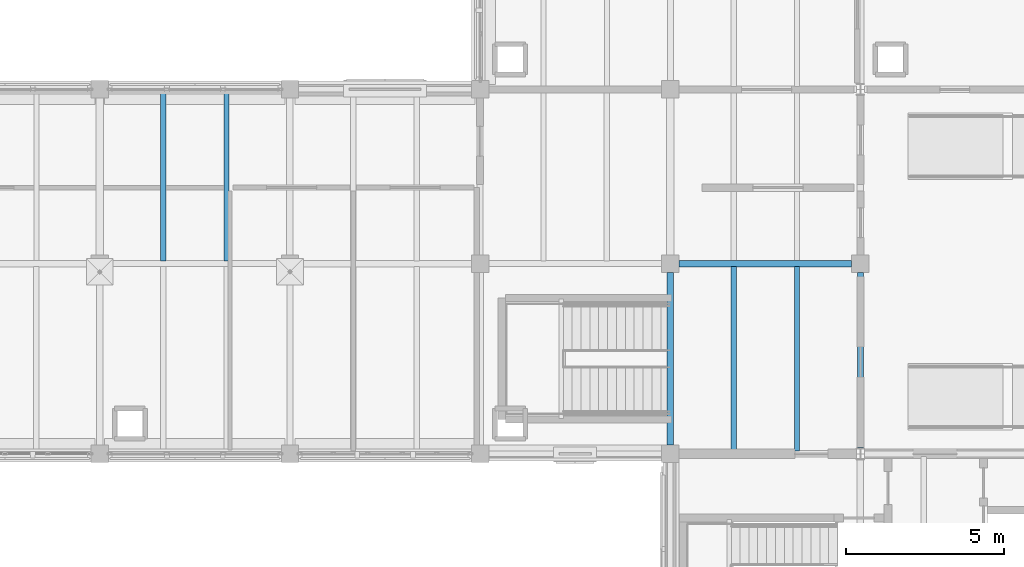
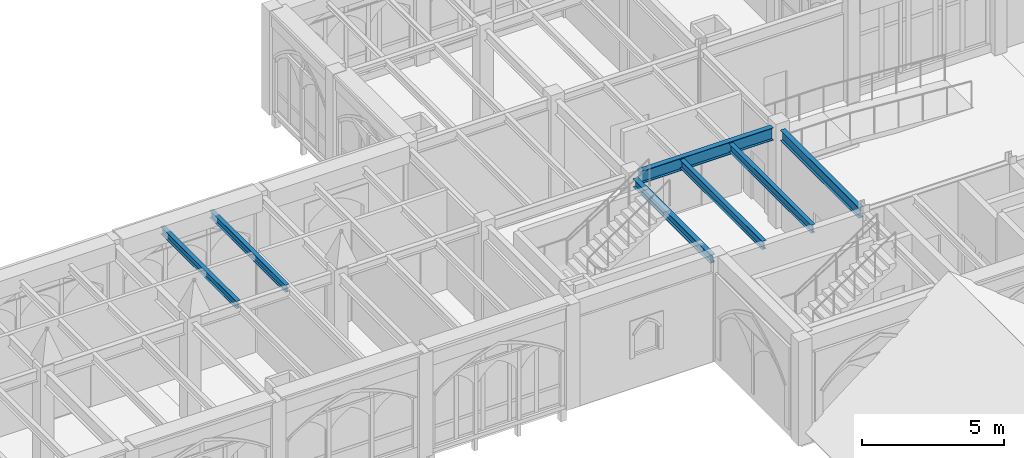
# One storey, part 25 of 108: 7 beams.
"""IFC4 building model written with IfcOpenShell, lengths in metres."""

from ifc_helpers import new_model, si_unit, direction, frame, origin, origin_2d, place, context, subcontext, project, spatial, i_section, extrude, material, material_profile, profile_set, type_object, element, save


model = new_model("IFC4")

# Units and contexts
model_context = context("Model", 3, precision=1e-05, world=origin(), true_north=direction((0.0, 1.0)))
body_context = subcontext(model_context, "Body", "Model", "MODEL_VIEW")
ifc_project = project(units=[si_unit("LENGTHUNIT", "METRE"), si_unit("AREAUNIT", "SQUARE_METRE"), si_unit("VOLUMEUNIT", "CUBIC_METRE"), si_unit("PLANEANGLEUNIT", "RADIAN"), si_unit("MASSUNIT", "GRAM", prefix="KILO")], contexts=[model_context])

# Site, building, storey
site_placement = place(None, origin())
site = spatial("IfcSite", under=ifc_project, at=site_placement, CompositionType="ELEMENT")
building_placement = place(site_placement, origin())
building = spatial("IfcBuilding", under=site, at=building_placement, Name="Cumevento Cable Car Station", CompositionType="ELEMENT")
storey_placement = place(building_placement, frame((0.0, 0.0, 13.5)))
storey = spatial("IfcBuildingStorey", under=building, at=storey_placement, Name="L04", CompositionType="ELEMENT", Elevation=13.5)

# Beams
ifc_material_1 = material(Name="Steel ASTM A572 Grade 50", Category="steel")
ifc_material_profile_1 = material_profile(ifc_material_1, i_section(OverallWidth=0.18994140625, OverallDepth=0.45703125, WebThickness=0.009033203125, FlangeThickness=0.014404296875, at=origin_2d()), Name="W460x74.0")
ifc_profile_set_1 = profile_set([ifc_material_profile_1], Name="Steel ASTM A572 Grade 50")
beam_type_1 = type_object("IfcBeamType", Name="Structural Beam BM-04 W460x74.0", PredefinedType="BEAM", material=ifc_profile_set_1)
beam_1_placement = place(storey_placement, frame((64.0, 45.181396484375, 3.9755859375), z_axis=(0.0, 1.0, 0.0), x_axis=(-1.0, 0.0, 0.0)))
element("IfcBeam", 1, at=beam_1_placement, inside=storey, type_object=beam_type_1, Name="Beam BM-04 L04 #1421", PredefinedType="BEAM", context=body_context, shape_type="SweptSolid", body=[
    extrude(i_section(OverallWidth=0.18994140625, OverallDepth=0.45703125, WebThickness=0.009033203125, FlangeThickness=0.014404296875, at=origin_2d()), origin(), (0.0, 0.0, 1.0), 5.543701171875),
])
ifc_material_2 = material(Name="Steel ASTM A572 Grade 50", Category="steel")
ifc_material_profile_2 = material_profile(ifc_material_2, i_section(OverallWidth=0.205078125, OverallDepth=0.35400390625, WebThickness=0.009521484375, FlangeThickness=0.016845703125, at=origin_2d()), Name="W360x79.0")
ifc_profile_set_2 = profile_set([ifc_material_profile_2], Name="Steel ASTM A572 Grade 50")
beam_type_2 = type_object("IfcBeamType", Name="Structural Beam BM-05 W360x79.0", PredefinedType="BEAM", material=ifc_profile_set_2)
beam_2_placement = place(storey_placement, frame((58.0, 45.27490234375, 4.027099609375), z_axis=(0.0, 1.0, 0.0), x_axis=(-1.0, 0.0, 0.0)))
element("IfcBeam", 2, at=beam_2_placement, inside=storey, type_object=beam_type_2, Name="Beam BM-05 L04 #1419", PredefinedType="BEAM", context=body_context, shape_type="SweptSolid", body=[
    extrude(i_section(OverallWidth=0.205078125, OverallDepth=0.35400390625, WebThickness=0.009521484375, FlangeThickness=0.016845703125, at=origin_2d()), origin(), (0.0, 0.0, 1.0), 5.4501953125),
])
ifc_material_3 = material(Name="Steel ASTM A572 Grade 50", Category="steel")
ifc_material_profile_3 = material_profile(ifc_material_3, i_section(OverallWidth=0.2109375, OverallDepth=0.5390625, WebThickness=0.01171875, FlangeThickness=0.018798828125, at=origin_2d()), Name="W530x109.0")
ifc_profile_set_3 = profile_set([ifc_material_profile_3], Name="Steel ASTM A572 Grade 50")
beam_type_3 = type_object("IfcBeamType", Name="Structural Beam BM-11 W530x109.0", PredefinedType="BEAM", material=ifc_profile_set_3)
beam_3_placement = place(storey_placement, frame((58.27490234375, 51.0, 3.994384765625), z_axis=(1.0, 0.0, 0.0), x_axis=(0.0, 1.0, 0.0)))
element("IfcBeam", 3, at=beam_3_placement, inside=storey, type_object=beam_type_3, Name="Beam BM-11 L04 #1416", PredefinedType="BEAM", context=body_context, shape_type="SweptSolid", body=[
    extrude(i_section(OverallWidth=0.2109375, OverallDepth=0.5390625, WebThickness=0.01171875, FlangeThickness=0.018798828125, at=origin_2d()), origin(), (0.0, 0.0, 1.0), 5.4501953125),
])
ifc_material_4 = material(Name="Steel ASTM A572 Grade 50", Category="steel")
ifc_material_profile_4 = material_profile(ifc_material_4, i_section(OverallWidth=0.1708984375, OverallDepth=0.35498046875, WebThickness=0.007080078125, FlangeThickness=0.01171875, at=origin_2d()), Name="W360x51.0")
ifc_profile_set_4 = profile_set([ifc_material_profile_4], Name="Steel ASTM A572 Grade 50")
beam_type_4 = type_object("IfcBeamType", Name="Structural Joist JS-01 W360x51.0", PredefinedType="JOIST", material=ifc_profile_set_4)
for number, where, z_axis, x_axis, name in (
    (4, (60.0, 45.093505859375, 4.026611328125), (0.0, 1.0, 0.0), (-1.0, 0.0, 0.0), "Composite Floor Joist JS-01 L04 #1541"),
    (5, (62.0, 45.093505859375, 4.026611328125), (0.0, 1.0, 0.0), (-1.0, 0.0, 0.0), "Composite Floor Joist JS-01 L04 #1543"),
):
    element("IfcBeam", number, at=place(storey_placement, frame(where, z_axis=z_axis, x_axis=x_axis)), inside=storey, type_object=beam_type_4, Name=name, PredefinedType="JOIST", context=body_context, shape_type="SweptSolid", body=[
        extrude(i_section(OverallWidth=0.1708984375, OverallDepth=0.35498046875, WebThickness=0.007080078125, FlangeThickness=0.01171875, at=origin_2d()), origin(), (0.0, 0.0, 1.0), 5.81298828125),
    ])
ifc_material_5 = material(Name="Steel ASTM A572 Grade 50", Category="steel")
ifc_material_profile_5 = material_profile(ifc_material_5, i_section(OverallWidth=0.1669921875, OverallDepth=0.31689453125, WebThickness=0.007568359375, FlangeThickness=0.01318359375, at=origin_2d()), Name="W310x52.0")
ifc_profile_set_5 = profile_set([ifc_material_profile_5], Name="Steel ASTM A572 Grade 50")
beam_type_5 = type_object("IfcBeamType", Name="Structural Joist JS-02 W310x52.0", PredefinedType="JOIST", material=ifc_profile_set_5)
for number, where, z_axis, x_axis, name in (
    (6, (42.0, 51.0830078125, 4.12939453125), (0.0, 1.0, 0.0), (-1.0, 0.0, 0.0), "Composite Floor Joist JS-02 L04 #1524"),
    (7, (44.0, 51.0830078125, 4.12939453125), (0.0, 1.0, 0.0), (-1.0, 0.0, 0.0), "Composite Floor Joist JS-02 L04 #1526"),
):
    element("IfcBeam", number, at=place(storey_placement, frame(where, z_axis=z_axis, x_axis=x_axis)), inside=storey, type_object=beam_type_5, Name=name, PredefinedType="JOIST", context=body_context, shape_type="SweptSolid", body=[
        extrude(i_section(OverallWidth=0.1669921875, OverallDepth=0.31689453125, WebThickness=0.007568359375, FlangeThickness=0.01318359375, at=origin_2d()), origin(), (0.0, 0.0, 1.0), 5.340087890625),
    ])

save(model, "model.ifc")
